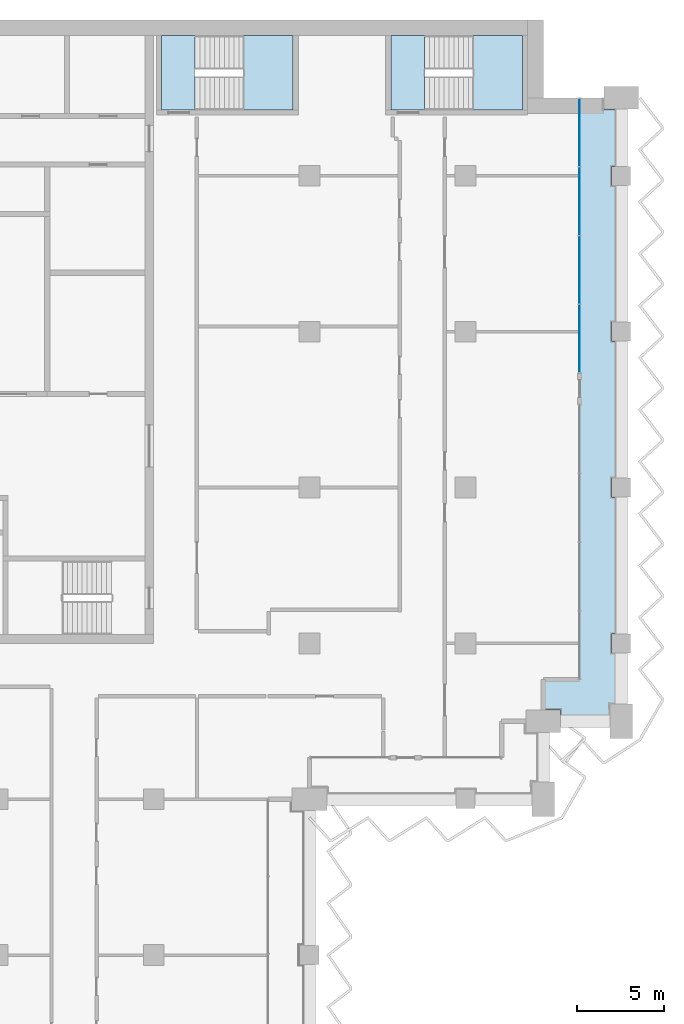
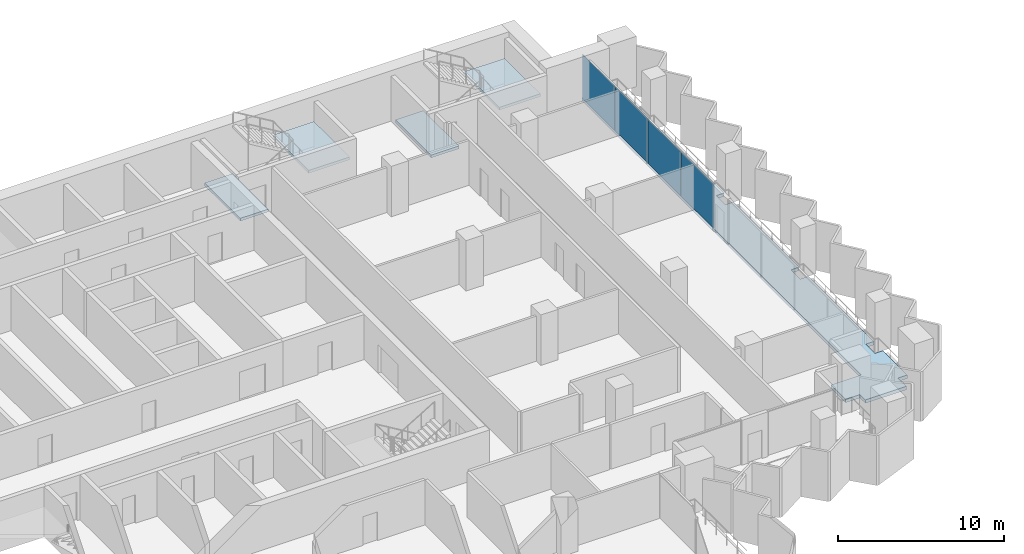
# One storey, part 8 of 23: 5 slabs, 4 plates, 3 elements without a shape of their own.
"""IFC4 building model written with IfcOpenShell, lengths in metres."""

from ifc_helpers import new_model, si_unit, direction, frame, origin, origin_2d, place, context, subcontext, project, spatial, polyline, rectangle, outline, extrude, material, layer, layer_set, type_object, element, aggregate, save


model = new_model("IFC4")

# Units and contexts
model_context = context("Model", 3, precision=1e-05, world=origin(), true_north=direction((0.0, 1.0)))
body_context = subcontext(model_context, "Body", "Model", "MODEL_VIEW")
ifc_project = project(units=[si_unit("LENGTHUNIT", "METRE"), si_unit("AREAUNIT", "SQUARE_METRE"), si_unit("VOLUMEUNIT", "CUBIC_METRE"), si_unit("PLANEANGLEUNIT", "RADIAN"), si_unit("MASSUNIT", "GRAM", prefix="KILO")], contexts=[model_context])

# Site, building, storey
site_placement = place(None, origin())
site = spatial("IfcSite", under=ifc_project, at=site_placement, CompositionType="ELEMENT")
building_placement = place(site_placement, origin())
building = spatial("IfcBuilding", under=site, at=building_placement, Name="Hunhe Ridgeline Campus", CompositionType="ELEMENT")
storey_placement = place(building_placement, frame((0.0, 0.0, 144.89990234375)))
storey = spatial("IfcBuildingStorey", under=building, at=storey_placement, Name="L36", CompositionType="ELEMENT", Elevation=144.89990234375)

# Curtain wall, plates
ifc_material_1 = material(Name="Aluminium 6063", Category="aluminium")
curtain_wall_type = type_object("IfcCurtainWallType", Name="Curtain wall CW-1", PredefinedType="NOTDEFINED", material=ifc_material_1)
curtain_wall_placement = place(storey_placement, origin())
curtain_wall = element("IfcCurtainWall", 1, at=curtain_wall_placement, inside=storey, type_object=curtain_wall_type, Name="Curtain wall 15", PredefinedType="NOTDEFINED")
ifc_material_2 = material(Name="Low-e laminated glass", Category="glass")
ifc_layer_1 = layer(ifc_material_2, 0.028076171875)
ifc_layer_set_1 = layer_set([ifc_layer_1], Name="Curtain wall glass panel 28 low-e laminated")
plate_type = type_object("IfcPlateType", Name="Curtain wall glass panel 28 low-e laminated", PredefinedType="CURTAIN_PANEL", material=ifc_layer_set_1)
plate_1_placement = place(storey_placement, frame((60.59912109375, 80.60302734375, 0.0), z_axis=(0.0, 0.0, 1.0), x_axis=(0.0, 1.0, 0.0)))
plate_1 = element("IfcPlate", 2, at=plate_1_placement, type_object=plate_type, Name="CW-1 panel 1", PredefinedType="CURTAIN_PANEL", context=body_context, shape_type="SweptSolid", body=[
    extrude(rectangle(XDim=3.884765625, YDim=0.028076171875, at=origin_2d()), origin(), (0.0, 0.0, 1.0), 3.239990234375),
])
plate_2_placement = place(storey_placement, frame((60.59912109375, 84.562744140625, 0.0), z_axis=(0.0, 0.0, 1.0), x_axis=(0.0, 1.0, 0.0)))
plate_2 = element("IfcPlate", 3, at=plate_2_placement, type_object=plate_type, Name="CW-1 panel 2", PredefinedType="CURTAIN_PANEL", context=body_context, shape_type="SweptSolid", body=[
    extrude(rectangle(XDim=3.914794921875, YDim=0.028076171875, at=origin_2d()), origin(), (0.0, 0.0, 1.0), 3.239990234375),
])
plate_3_placement = place(storey_placement, frame((60.59912109375, 88.53759765625, 0.0), z_axis=(0.0, 0.0, 1.0), x_axis=(0.0, 1.0, 0.0)))
plate_3 = element("IfcPlate", 4, at=plate_3_placement, type_object=plate_type, Name="CW-1 panel 3", PredefinedType="CURTAIN_PANEL", context=body_context, shape_type="SweptSolid", body=[
    extrude(rectangle(XDim=3.914794921875, YDim=0.028076171875, at=origin_2d()), origin(), (0.0, 0.0, 1.0), 3.239990234375),
])
plate_4_placement = place(storey_placement, frame((60.59912109375, 92.49755859375, 0.0), z_axis=(0.0, 0.0, 1.0), x_axis=(0.0, 1.0, 0.0)))
plate_4 = element("IfcPlate", 5, at=plate_4_placement, type_object=plate_type, Name="CW-1 panel 4", PredefinedType="CURTAIN_PANEL", context=body_context, shape_type="SweptSolid", body=[
    extrude(rectangle(XDim=3.884765625, YDim=0.028076171875, at=origin_2d()), origin(), (0.0, 0.0, 1.0), 3.239990234375),
])
aggregate(curtain_wall, [plate_1, plate_2, plate_3, plate_4])

# Slab
ifc_material_3 = material(Name="Concrete C40", Category="concrete")
ifc_layer_2 = layer(ifc_material_3, 0.25)
ifc_layer_set_2 = layer_set([ifc_layer_2], Name="Loggia slab 250 Concrete C40")
slab_type_1 = type_object("IfcSlabType", Name="Loggia slab 250 Concrete C40", PredefinedType="FLOOR", material=ifc_layer_set_2)
slab_1_placement = place(storey_placement, frame((0.0, 0.0, -0.25)))
element("IfcSlab", 6, at=slab_1_placement, inside=storey, type_object=slab_type_1, Name="Loggia slab 3", PredefinedType="FLOOR", context=body_context, shape_type="SweptSolid", body=[
    extrude(outline(polyline([(58.5, 59.14990234375), (59.5, 59.14990234375), (59.5, 58.5), (62.35009765625, 58.5), (62.35009765625, 59.5), (63.0, 59.5), (63.0, 62.449951171875), (62.449951171875, 62.449951171875), (62.449951171875, 63.550048828125), (63.0, 63.550048828125), (63.0, 71.449951171875), (62.449951171875, 71.449951171875), (62.449951171875, 72.550048828125), (63.0, 72.550048828125), (63.0, 80.449951171875), (62.449951171875, 80.449951171875), (62.449951171875, 81.550048828125), (63.0, 81.550048828125), (63.0, 89.449951171875), (62.449951171875, 89.449951171875), (62.449951171875, 90.550048828125), (63.0, 90.550048828125), (63.0, 93.85009765625), (62.0, 93.85009765625), (62.0, 94.5), (60.60009765625, 94.5), (60.60009765625, 60.89990234375), (58.5, 60.89990234375), (58.5, 59.14990234375)])), origin(), (0.0, 0.0, 1.0), 0.25),
])

# Stair, slab
stair_type = type_object("IfcStairType", Name="Reinforced concrete dog-leg stair 1950 Concrete C40", PredefinedType="HALF_TURN_STAIR", material=ifc_material_3)
stair_1_placement = place(storey_placement, origin())
stair_1 = element("IfcStair", 7, at=stair_1_placement, inside=storey, type_object=stair_type, Name="L36 E1", PredefinedType="HALF_TURN_STAIR")
ifc_layer_3 = layer(ifc_material_3, 0.199951171875)
ifc_layer_set_3 = layer_set([ifc_layer_3], Name="Reinforced concrete stair landing 200 Concrete C40")
slab_type_2 = type_object("IfcSlabType", Name="Reinforced concrete stair landing 200 Concrete C40", PredefinedType="LANDING", material=ifc_layer_set_3)
slab_2_placement = place(storey_placement, frame((0.0, 0.0, 1.650146484375)))
slab_2 = element("IfcSlab", 8, at=slab_2_placement, type_object=slab_type_2, Name="ST5 landing 1", PredefinedType="LANDING", context=body_context, shape_type="SweptSolid", body=[
    extrude(outline(polyline([(41.199951171875, 93.800048828125), (44.050048828125, 93.800048828125), (44.050048828125, 98.10009765625), (41.199951171875, 98.10009765625), (41.199951171875, 93.800048828125)])), origin(), (0.0, 0.0, 1.0), 0.199951171875),
])
aggregate(stair_1, [slab_2])

# Slab
slab_3_placement = place(storey_placement, frame((0.0, 0.0, -0.199951171875)))
element("IfcSlab", 9, at=slab_3_placement, inside=storey, type_object=slab_type_2, Name="L36 stair E1 floor landing", PredefinedType="LANDING", context=body_context, shape_type="SweptSolid", body=[
    extrude(outline(polyline([(36.449951171875, 93.800048828125), (38.39990234375, 93.800048828125), (38.39990234375, 98.10009765625), (36.449951171875, 98.10009765625), (36.449951171875, 93.800048828125)])), origin(), (0.0, 0.0, 1.0), 0.199951171875),
])

# Stair, slab
stair_2_placement = place(storey_placement, origin())
stair_2 = element("IfcStair", 10, at=stair_2_placement, inside=storey, type_object=stair_type, Name="L36 E2", PredefinedType="HALF_TURN_STAIR")
slab_4_placement = place(storey_placement, frame((0.0, 0.0, 1.650146484375)))
slab_4 = element("IfcSlab", 11, at=slab_4_placement, type_object=slab_type_2, Name="ST6 landing 1", PredefinedType="LANDING", context=body_context, shape_type="SweptSolid", body=[
    extrude(outline(polyline([(54.449951171875, 93.800048828125), (57.300048828125, 93.800048828125), (57.300048828125, 98.10009765625), (54.449951171875, 98.10009765625), (54.449951171875, 93.800048828125)])), origin(), (0.0, 0.0, 1.0), 0.199951171875),
])
aggregate(stair_2, [slab_4])

# Slab
slab_5_placement = place(storey_placement, frame((0.0, 0.0, -0.199951171875)))
element("IfcSlab", 12, at=slab_5_placement, inside=storey, type_object=slab_type_2, Name="L36 stair E2 floor landing", PredefinedType="LANDING", context=body_context, shape_type="SweptSolid", body=[
    extrude(outline(polyline([(49.699951171875, 93.800048828125), (51.64990234375, 93.800048828125), (51.64990234375, 98.10009765625), (49.699951171875, 98.10009765625), (49.699951171875, 93.800048828125)])), origin(), (0.0, 0.0, 1.0), 0.199951171875),
])

save(model, "model.ifc")
